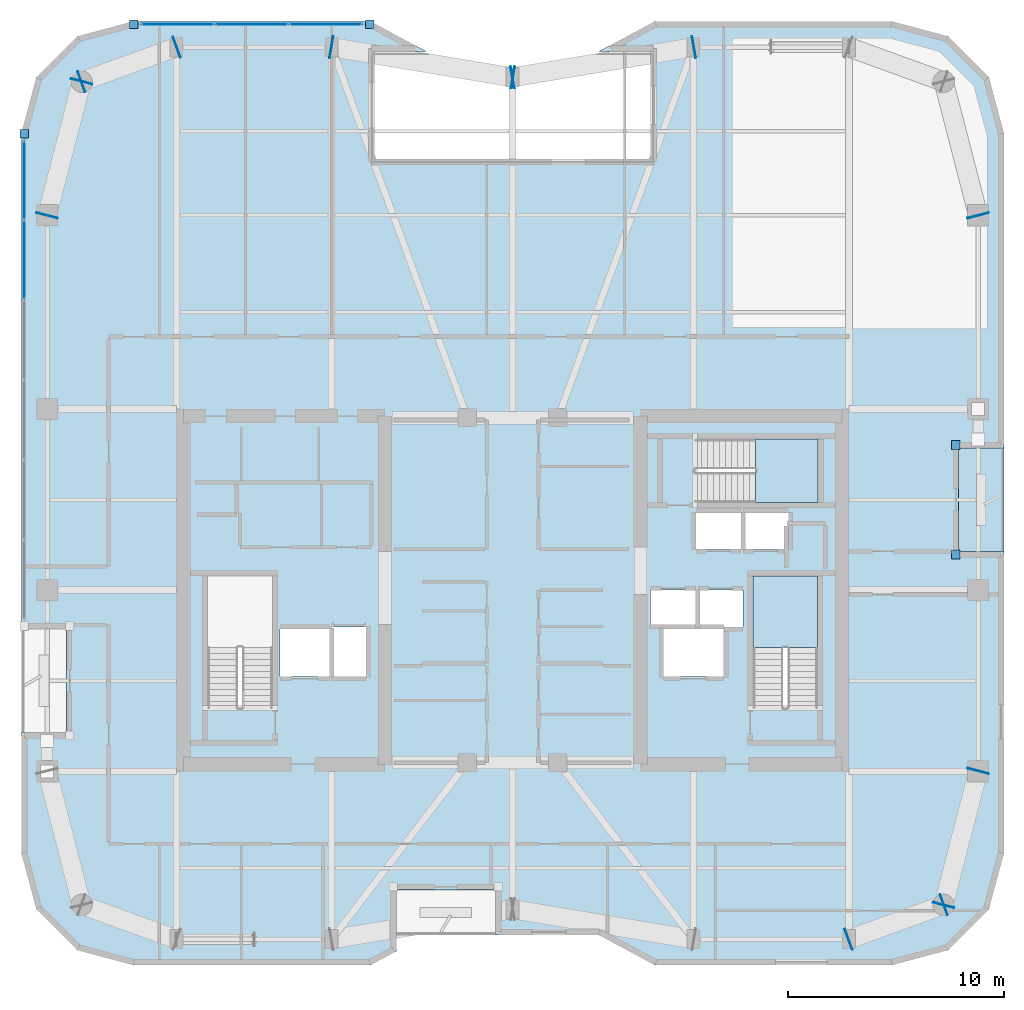
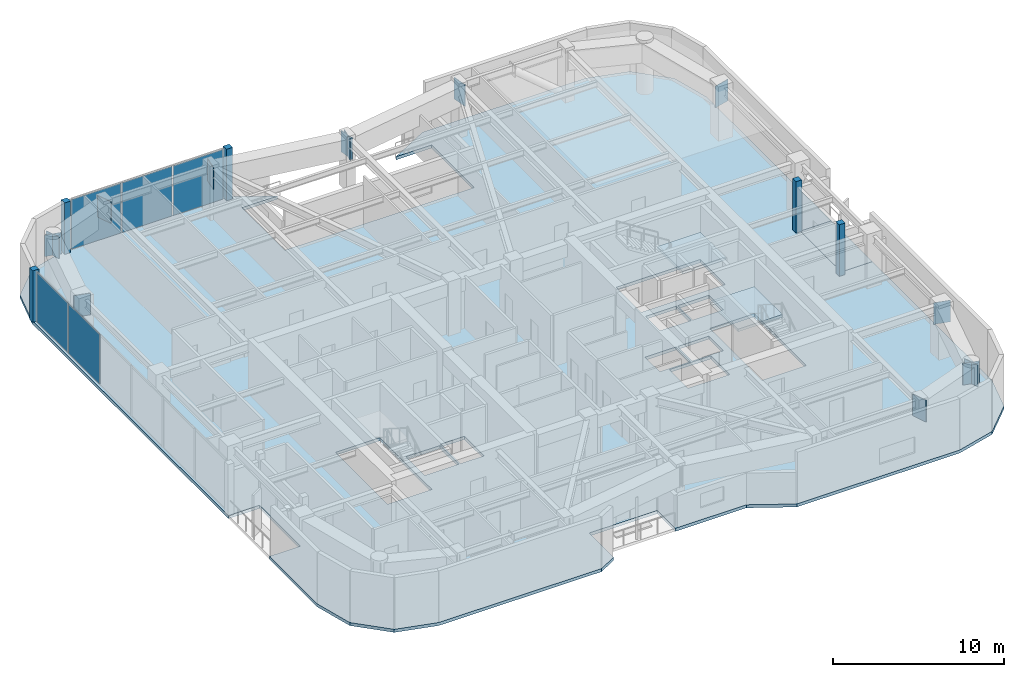
# One storey, part 13 of 22: 23 plates, 4 slabs, 4 elements without a shape of their own.
"""IFC4 building model written with IfcOpenShell, lengths in metres."""

from ifc_helpers import new_model, si_unit, direction, frame, origin, origin_2d, place, context, subcontext, project, spatial, polyline, rectangle, outline, extrude, material, layer, layer_set, type_object, element, aggregate, save


model = new_model("IFC4")

# Units and contexts
model_context = context("Model", 3, precision=1e-05, world=origin(), true_north=direction((0.0, 1.0)))
body_context = subcontext(model_context, "Body", "Model", "MODEL_VIEW")
ifc_project = project(units=[si_unit("LENGTHUNIT", "METRE"), si_unit("AREAUNIT", "SQUARE_METRE"), si_unit("VOLUMEUNIT", "CUBIC_METRE"), si_unit("PLANEANGLEUNIT", "RADIAN"), si_unit("MASSUNIT", "GRAM", prefix="KILO")], contexts=[model_context])

# Site, building, storey
site_placement = place(None, origin())
site = spatial("IfcSite", under=ifc_project, at=site_placement, CompositionType="ELEMENT")
building_placement = place(site_placement, origin())
building = spatial("IfcBuilding", under=site, at=building_placement, Name="Kiyonajd Concourse Tower", CompositionType="ELEMENT")
storey_placement = place(building_placement, frame((0.0, 0.0, 243.300048828125)))
storey = spatial("IfcBuildingStorey", under=building, at=storey_placement, Name="L61", CompositionType="ELEMENT", Elevation=243.300048828125)

# Plates
ifc_material_1 = material(Name="Steel ASTM A572 Grade 50", Category="steel")
ifc_layer_1 = layer(ifc_material_1, 0.031982421875)
ifc_layer_set_1 = layer_set([ifc_layer_1], Name="Steel ASTM A572 Grade 50")
plate_type_1 = type_object("IfcPlateType", Name="PL-CAP-540", PredefinedType="USERDEFINED", material=ifc_layer_set_1)
for number, where, z_axis, x_axis, name in (
    (1, (63.589599609375, 19.796142578125, 2.2099609375), (0.0, 0.0, 1.0), (-0.939811951086, -0.341692107891, 0.0), "L61 Welded Box Girder End Cap"),
    (2, (68.01025390625, 21.40380859375, 2.2099609375), (0.0, 0.0, 1.0), (0.939811951086, 0.341692107891, 0.0), "L61 Welded Box Girder End Cap"),
    (3, (67.997314453125, 21.389404296875, 2.2099609375), (0.0, 0.0, 1.0), (-0.249873048837, -0.968278606324, 0.0), "L61 Welded Box Girder End Cap"),
    (4, (69.602783203125, 27.610595703125, 2.2099609375), (0.0, 0.0, 1.0), (0.249873048837, 0.968278606324, 0.0), "L61 Welded Box Girder End Cap"),
    (5, (69.602783203125, 53.389404296875, 2.2099609375), (0.0, 0.0, 1.0), (0.249873048837, -0.968278606324, 0.0), "L61 Welded Box Girder End Cap"),
    (6, (56.410888671875, 61.201904296875, 2.2099609375), (0.0, 0.0, 1.0), (0.986400586142, 0.164359008451, 0.0), "L61 Welded Box Girder End Cap"),
    (7, (47.989013671875, 59.798095703125, 2.2099609375), (0.0, 0.0, 1.0), (-0.986400586142, -0.164359008451, 0.0), "L61 Welded Box Girder End Cap"),
    (8, (48.010986328125, 59.798095703125, 2.2099609375), (0.0, 0.0, 1.0), (0.986400586142, -0.164359008451, 0.0), "L61 Welded Box Girder End Cap"),
    (9, (39.589111328125, 61.201904296875, 2.2099609375), (0.0, 0.0, 1.0), (-0.986400586142, 0.164359008451, 0.0), "L61 Welded Box Girder End Cap"),
    (10, (32.410400390625, 61.203857421875, 2.2099609375), (0.0, 0.0, 1.0), (0.939811951086, 0.341692107891, 0.0), "L61 Welded Box Girder End Cap"),
    (11, (27.98974609375, 59.59619140625, 2.2099609375), (0.0, 0.0, 1.0), (-0.939811951086, -0.341692107891, 0.0), "L61 Welded Box Girder End Cap"),
    (12, (28.002685546875, 59.610595703125, 2.2099609375), (0.0, 0.0, 1.0), (0.249873048837, 0.968278606324, 0.0), "L61 Welded Box Girder End Cap"),
    (13, (26.397216796875, 53.389404296875, 2.2099609375), (0.0, 0.0, 1.0), (-0.249873048837, -0.968278606324, 0.0), "L61 Welded Box Girder End Cap"),
):
    element("IfcPlate", number, at=place(storey_placement, frame(where, z_axis=z_axis, x_axis=x_axis)), inside=storey, type_object=plate_type_1, Name=name, ObjectType="CAP PLATE", PredefinedType="USERDEFINED", context=body_context, shape_type="SweptSolid", body=[
        extrude(rectangle(XDim=0.035888671875, YDim=1.02001953125, at=origin_2d()), origin(), (0.0, 0.0, 1.0), 1.5400390625),
    ])

# Curtain wall, plates
ifc_material_2 = material(Name="Thermally Broken Anodised Aluminium", Category="aluminium")
ifc_layer_2 = layer(ifc_material_2, 0.179931640625)
ifc_layer_set_2 = layer_set([ifc_layer_2], Name="Thermally Broken Anodised Aluminium")
curtain_wall_type = type_object("IfcCurtainWallType", Name="CW-SYS-04", PredefinedType="NOTDEFINED", material=ifc_layer_set_2)
curtain_wall_1_placement = place(storey_placement, origin())
curtain_wall_1 = element("IfcCurtainWall", 14, at=curtain_wall_1_placement, inside=storey, type_object=curtain_wall_type, Name="L61 Unitised Curtain Wall CW4", PredefinedType="NOTDEFINED")
ifc_material_3 = material(Name="Double Low-E Insulated Glass", Category="glass")
ifc_layer_3 = layer(ifc_material_3, 0.033935546875)
ifc_layer_set_3 = layer_set([ifc_layer_3], Name="Double Low-E Insulated Glass")
plate_type_2 = type_object("IfcPlateType", Name="PL-CW-VIS34", PredefinedType="CURTAIN_PANEL", material=ifc_layer_set_3)
plate_1_placement = place(storey_placement, frame((25.340087890625, 51.326171875, 0.06494140625), z_axis=(0.0, 0.0, 1.0), x_axis=(0.0, 1.0, 0.0)))
plate_1 = element("IfcPlate", 15, at=plate_1_placement, type_object=plate_type_2, Name="CW4 panel 5.1", PredefinedType="CURTAIN_PANEL", context=body_context, shape_type="SweptSolid", body=[
    extrude(rectangle(XDim=3.645263671875, YDim=0.033935546875, at=origin_2d()), origin(), (0.0, 0.0, 1.0), 3.550048828125),
])
plate_2_placement = place(storey_placement, frame((25.340087890625, 55.020263671875, 0.06494140625), z_axis=(0.0, 0.0, 1.0), x_axis=(0.0, 1.0, 0.0)))
plate_2 = element("IfcPlate", 16, at=plate_2_placement, type_object=plate_type_2, Name="CW4 panel 6.1", PredefinedType="CURTAIN_PANEL", context=body_context, shape_type="SweptSolid", body=[
    extrude(rectangle(XDim=3.61279296875, YDim=0.033935546875, at=origin_2d()), origin(), (0.0, 0.0, 1.0), 3.550048828125),
])
aggregate(curtain_wall_1, [plate_1, plate_2])

curtain_wall_2_placement = place(storey_placement, origin())
curtain_wall_2 = element("IfcCurtainWall", 17, at=curtain_wall_2_placement, inside=storey, type_object=curtain_wall_type, Name="L61 Unitised Curtain Wall CW4", PredefinedType="NOTDEFINED")
plate_3_placement = place(storey_placement, frame((32.452392578125, 62.260009765625, 0.06494140625), z_axis=(0.0, 0.0, 1.0), x_axis=(1.0, 0.0, 0.0)))
plate_3 = element("IfcPlate", 18, at=plate_3_placement, type_object=plate_type_2, Name="CW4 panel 1.1", PredefinedType="CURTAIN_PANEL", context=body_context, shape_type="SweptSolid", body=[
    extrude(rectangle(XDim=3.35791015625, YDim=0.033935546875, at=origin_2d()), origin(), (0.0, 0.0, 1.0), 3.550048828125),
])
plate_4_placement = place(storey_placement, frame((35.8916015625, 62.260009765625, 0.06494140625), z_axis=(0.0, 0.0, 1.0), x_axis=(1.0, 0.0, 0.0)))
plate_4 = element("IfcPlate", 19, at=plate_4_placement, type_object=plate_type_2, Name="CW4 panel 2.1", PredefinedType="CURTAIN_PANEL", context=body_context, shape_type="SweptSolid", body=[
    extrude(rectangle(XDim=3.390380859375, YDim=0.033935546875, at=origin_2d()), origin(), (0.0, 0.0, 1.0), 3.550048828125),
])
plate_5_placement = place(storey_placement, frame((39.330810546875, 62.260009765625, 0.06494140625), z_axis=(0.0, 0.0, 1.0), x_axis=(1.0, 0.0, 0.0)))
plate_5 = element("IfcPlate", 20, at=plate_5_placement, type_object=plate_type_2, Name="CW4 panel 3.1", PredefinedType="CURTAIN_PANEL", context=body_context, shape_type="SweptSolid", body=[
    extrude(rectangle(XDim=3.35791015625, YDim=0.033935546875, at=origin_2d()), origin(), (0.0, 0.0, 1.0), 3.550048828125),
])
aggregate(curtain_wall_2, [plate_3, plate_4, plate_5])

# Plates
ifc_layer_4 = layer(ifc_material_2, 0.39990234375)
ifc_layer_set_4 = layer_set([ifc_layer_4], Name="Thermally Broken Anodised Aluminium")
plate_type_3 = type_object("IfcPlateType", Name="PL-JMB-400", PredefinedType="USERDEFINED", material=ifc_layer_set_4)
for number, where, z_axis, x_axis, name in (
    (21, (25.340087890625, 57.181640625, 0.0), (0.0, 0.0, 1.0), (1.0, 0.0, 0.0), "L61 Facade Jamb Closure Plate 04"),
    (22, (30.41845703125, 62.260009765625, 0.0), (0.0, 0.0, 1.0), (1.0, 0.0, 0.0), "L61 Facade Jamb Closure Plate 05"),
    (23, (41.36474609375, 62.260009765625, 0.0), (0.0, 0.0, 1.0), (1.0, 0.0, 0.0), "L61 Facade Jamb Closure Plate 06"),
    (24, (68.56005859375, 42.739990234375, 0.0), (0.0, 0.0, 1.0), (1.0, 0.0, 0.0), "L61 Facade Jamb Closure Plate 07"),
    (25, (68.56005859375, 37.659912109375, 0.0), (0.0, 0.0, 1.0), (1.0, 0.0, 0.0), "L61 Facade Jamb Closure Plate 08"),
):
    element("IfcPlate", number, at=place(storey_placement, frame(where, z_axis=z_axis, x_axis=x_axis)), inside=storey, type_object=plate_type_3, Name=name, ObjectType="JAMB PLATE", PredefinedType="USERDEFINED", context=body_context, shape_type="SweptSolid", body=[
        extrude(rectangle(XDim=0.39990234375, YDim=0.39990234375, at=origin_2d()), origin(), (0.0, 0.0, 1.0), 3.679931640625),
    ])

# Stair, slab
ifc_material_4 = material(Name="Concrete C40/50", Category="concrete")
stair_type = type_object("IfcStairType", Name="ST-DLG-22R", PredefinedType="HALF_TURN_STAIR", material=ifc_material_4)
stair_1_placement = place(storey_placement, origin())
stair_1 = element("IfcStair", 26, at=stair_1_placement, inside=storey, type_object=stair_type, Name="L61 Protected Exit Stair ST2", PredefinedType="HALF_TURN_STAIR")
ifc_layer_5 = layer(ifc_material_4, 0.199951171875)
ifc_layer_set_5 = layer_set([ifc_layer_5], Name="Concrete C40/50")
slab_type_1 = type_object("IfcSlabType", Name="SL-LND-200", PredefinedType="LANDING", material=ifc_layer_set_5)
slab_1_placement = place(storey_placement, frame((0.0, 0.0, 1.75)))
slab_1 = element("IfcSlab", 27, at=slab_1_placement, type_object=slab_type_1, Name="ST2 landing 1", PredefinedType="LANDING", context=body_context, shape_type="SweptSolid", body=[
    extrude(outline(polyline([(62.14990234375, 33.35009765625), (62.14990234375, 36.64990234375), (59.14990234375, 36.64990234375), (59.14990234375, 33.35009765625), (62.14990234375, 33.35009765625)])), origin(), (0.0, 0.0, 1.0), 0.199951171875),
])
aggregate(stair_1, [slab_1])

stair_2_placement = place(storey_placement, origin())
stair_2 = element("IfcStair", 28, at=stair_2_placement, inside=storey, type_object=stair_type, Name="L61 Protected Exit Stair ST3", PredefinedType="HALF_TURN_STAIR")
slab_2_placement = place(storey_placement, frame((0.0, 0.0, 1.75)))
slab_2 = element("IfcSlab", 29, at=slab_2_placement, type_object=slab_type_1, Name="ST3 landing 1", PredefinedType="LANDING", context=body_context, shape_type="SweptSolid", body=[
    extrude(outline(polyline([(59.280029296875, 40.080078125), (62.179931640625, 40.080078125), (62.179931640625, 43.02001953125), (59.280029296875, 43.02001953125), (59.280029296875, 40.080078125)])), origin(), (0.0, 0.0, 1.0), 0.199951171875),
])
aggregate(stair_2, [slab_2])

# Slabs
ifc_material_5 = material(Name="Precast concrete C50/60", Category="concrete")
ifc_layer_6 = layer(ifc_material_5, 0.199951171875)
ifc_layer_set_6 = layer_set([ifc_layer_6], Name="Precast concrete C50/60")
slab_type_2 = type_object("IfcSlabType", Name="SL-LOG-200", PredefinedType="FLOOR", material=ifc_layer_set_6)
slab_3_placement = place(storey_placement, frame((0.0, 0.0, -0.199951171875)))
element("IfcSlab", 30, at=slab_3_placement, inside=storey, type_object=slab_type_2, Name="L61 Recessed Engawa Loggia Terrace Slab LOG-E", PredefinedType="FLOOR", context=body_context, shape_type="SweptSolid", body=[
    extrude(outline(polyline([(68.699951171875, 37.800048828125), (70.800048828125, 37.800048828125), (70.800048828125, 42.60009765625), (68.699951171875, 42.60009765625), (68.699951171875, 37.800048828125)])), origin(), (0.0, 0.0, 1.0), 0.199951171875),
])
ifc_layer_7 = layer(ifc_material_4, 0.219970703125)
ifc_layer_set_7 = layer_set([ifc_layer_7], Name="Concrete C40/50")
slab_type_3 = type_object("IfcSlabType", Name="SL-TWR-220", PredefinedType="FLOOR", material=ifc_layer_set_7)
slab_4_placement = place(storey_placement, frame((0.0, 0.0, -0.219970703125)))
element("IfcSlab", 31, at=slab_4_placement, inside=storey, type_object=slab_type_3, Name="L61 Tower Conditioned Floor Slab", PredefinedType="FLOOR", context=body_context, shape_type="SweptSolid", body=[
    extrude(outline(polyline([(25.89697265625, 21.199951171875), (25.199951171875, 23.800048828125), (25.199951171875, 29.39990234375), (27.300048828125, 29.39990234375), (27.300048828125, 34.199951171875), (25.199951171875, 34.199951171875), (25.199951171875, 57.199951171875), (25.89697265625, 59.800048828125), (27.800048828125, 61.702880859375), (30.39990234375, 62.39990234375), (41.39990234375, 62.39990234375), (44.0, 61.0), (41.60009765625, 61.0), (41.60009765625, 56.0), (54.39990234375, 56.0), (54.39990234375, 61.0), (52.0, 61.0), (54.60009765625, 62.39990234375), (65.60009765625, 62.39990234375), (68.199951171875, 61.702880859375), (70.10302734375, 59.800048828125), (70.800048828125, 57.199951171875), (70.800048828125, 42.60009765625), (68.699951171875, 42.60009765625), (68.699951171875, 37.800048828125), (70.800048828125, 37.800048828125), (70.800048828125, 23.800048828125), (70.10302734375, 21.199951171875), (68.199951171875, 19.297119140625), (65.60009765625, 18.60009765625), (54.60009765625, 18.60009765625), (52.0, 20.0), (47.199951171875, 20.0), (47.199951171875, 22.10009765625), (42.60009765625, 22.10009765625), (42.60009765625, 19.24609375), (41.39990234375, 18.60009765625), (30.39990234375, 18.60009765625), (27.800048828125, 19.297119140625), (25.89697265625, 21.199951171875)]), holes=[polyline([(39.5, 32.0), (37.199951171875, 32.0), (37.199951171875, 34.199951171875), (39.5, 34.199951171875), (39.5, 32.0)]), polyline([(57.800048828125, 32.0), (55.0, 32.0), (55.0, 34.199951171875), (57.800048828125, 34.199951171875), (57.800048828125, 32.0)]), polyline([(41.199951171875, 32.0), (39.60009765625, 32.0), (39.60009765625, 34.300048828125), (41.199951171875, 34.300048828125), (41.199951171875, 32.0)]), polyline([(33.85009765625, 30.550048828125), (33.85009765625, 36.64990234375), (36.85009765625, 36.64990234375), (36.85009765625, 30.550048828125), (33.85009765625, 30.550048828125)]), polyline([(59.14990234375, 30.550048828125), (59.14990234375, 36.64990234375), (62.14990234375, 36.64990234375), (62.14990234375, 30.550048828125), (59.14990234375, 30.550048828125)]), polyline([(56.5, 34.300048828125), (54.39990234375, 34.300048828125), (54.39990234375, 36.0), (56.5, 36.0), (56.5, 34.300048828125)]), polyline([(58.699951171875, 34.300048828125), (56.60009765625, 34.300048828125), (56.60009765625, 36.0), (58.699951171875, 36.0), (58.699951171875, 34.300048828125)]), polyline([(58.60009765625, 37.89990234375), (56.5, 37.89990234375), (56.5, 39.60009765625), (58.60009765625, 39.60009765625), (58.60009765625, 37.89990234375)]), polyline([(58.699951171875, 37.89990234375), (58.699951171875, 39.60009765625), (60.800048828125, 39.60009765625), (60.800048828125, 37.89990234375), (58.699951171875, 37.89990234375)]), polyline([(56.47998046875, 43.02001953125), (62.179931640625, 43.02001953125), (62.179931640625, 40.080078125), (56.47998046875, 40.080078125), (56.47998046875, 43.02001953125)])]), origin(), (0.0, 0.0, 1.0), 0.219970703125),
])

save(model, "model.ifc")
